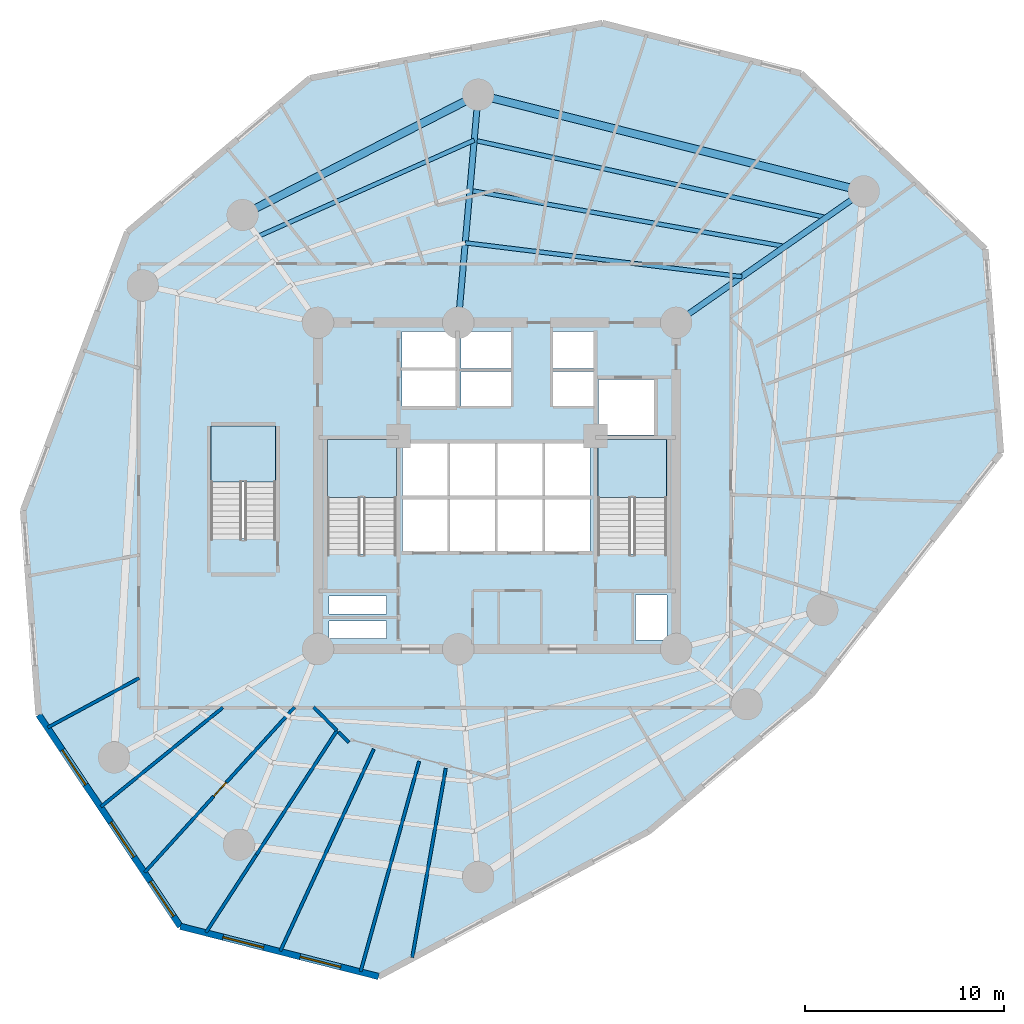
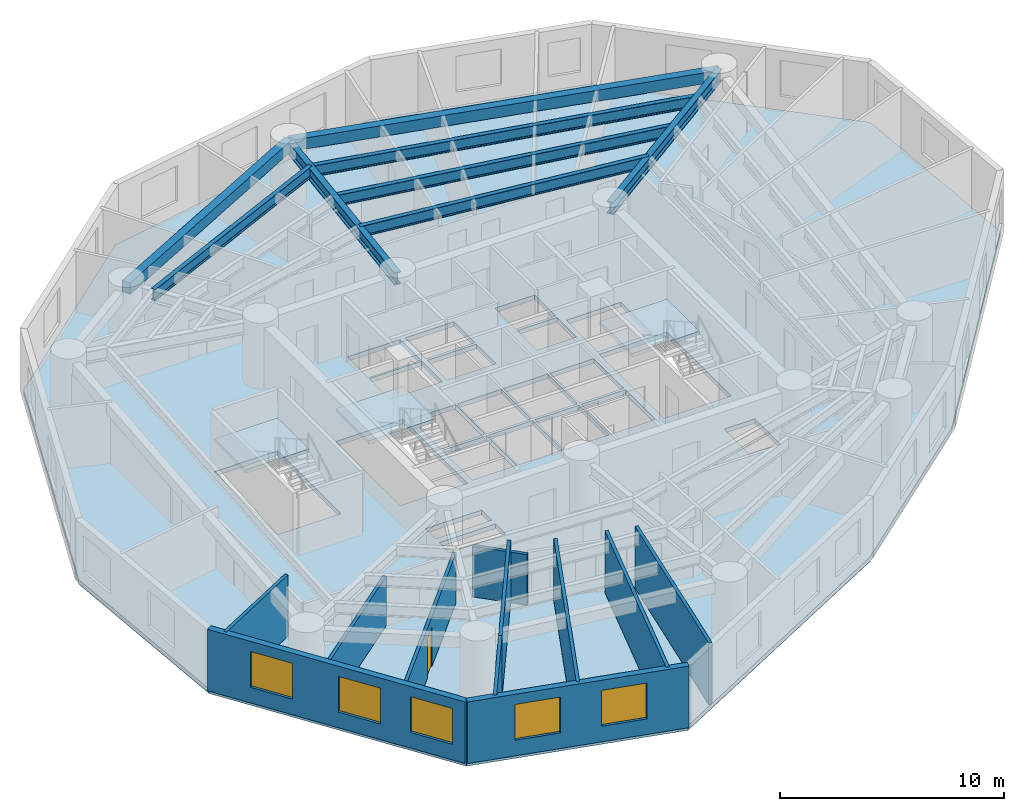
# One storey, part 2 of 8: 12 walls, 8 beams, 5 windows, 4 slabs, 1 door, 6 openings, 3 elements without a shape of their own.
"""IFC4 building model written with IfcOpenShell, lengths in metres."""

from ifc_helpers import new_model, si_unit, direction, frame, frame_2d, origin, origin_with_axes, origin_2d, place, context, subcontext, project, spatial, polyline, rectangle, i_section, outline, extrude, source, transform, mapped, material, layer, layer_set, material_profile, profile_set, type_object, element, fill, aggregate, save


model = new_model("IFC4")

# Units and contexts
model_context = context("Model", 3, precision=1e-05, world=origin(), true_north=direction((0.0, 1.0)))
body_context = subcontext(model_context, "Body", "Model", "MODEL_VIEW")
ifc_project = project(units=[si_unit("LENGTHUNIT", "METRE"), si_unit("AREAUNIT", "SQUARE_METRE"), si_unit("VOLUMEUNIT", "CUBIC_METRE"), si_unit("PLANEANGLEUNIT", "RADIAN"), si_unit("MASSUNIT", "GRAM", prefix="KILO")], contexts=[model_context])

# Site, building, storey
site_placement = place(None, origin())
site = spatial("IfcSite", under=ifc_project, at=site_placement, CompositionType="ELEMENT")
building_placement = place(site_placement, origin())
building = spatial("IfcBuilding", under=site, at=building_placement, Name="Karkom Vertical University and Central Library", CompositionType="ELEMENT")
storey_placement = place(building_placement, frame((0.0, 0.0, 58.89990234375)))
storey = spatial("IfcBuildingStorey", under=building, at=storey_placement, Name="L15", CompositionType="ELEMENT", Elevation=58.89990234375)

# Beams
ifc_material_1 = material(Name="Steel S355", Category="steel")
ifc_material_profile_1 = material_profile(ifc_material_1, i_section(OverallWidth=0.300048828125, OverallDepth=0.64990234375, WebThickness=0.01611328125, FlangeThickness=0.031005859375, FilletRadius=0.027099609375, at=origin_2d()), Name="HE 650 B")
ifc_profile_set_1 = profile_set([ifc_material_profile_1], Name="Steel S355")
beam_type_1 = type_object("IfcBeamType", Name="STR-BM-SB-HE650", PredefinedType="USERDEFINED", material=ifc_profile_set_1)
shared_shape_1 = source(origin_with_axes(), body_context, "Body", "SweptSolid", [
    extrude(i_section(OverallWidth=0.300048828125, OverallDepth=0.64990234375, WebThickness=0.01611328125, FlangeThickness=0.031005859375, FilletRadius=0.027099609375, at=origin_2d()), origin(), (0.0, 0.0, 1.0), 11.49951171875),
])
beam_1_placement = place(storey_placement, frame((37.5, 34.699951171875, 3.025146484375), z_axis=(0.81915012564, 0.573579176457, 0.0), x_axis=(-0.573579176457, 0.81915012564, 0.0)))
element("IfcBeam", 1, at=beam_1_placement, inside=storey, type_object=beam_type_1, Name="Level 15 Radial Frame Girder 02", ObjectType="GIRDER", PredefinedType="USERDEFINED", context=body_context, shape_type="MappedRepresentation", body=[
    mapped(shared_shape_1, transform((0.0, 0.0, 0.0), scale=1.0)),
])
shared_shape_2 = source(origin_with_axes(), body_context, "Body", "SweptSolid", [
    extrude(i_section(OverallWidth=0.300048828125, OverallDepth=0.64990234375, WebThickness=0.01611328125, FlangeThickness=0.031005859375, FilletRadius=0.027099609375, at=origin_2d()), origin(), (0.0, 0.0, 1.0), 11.499755859375),
])
beam_2_placement = place(storey_placement, frame((26.550048828125, 34.699951171875, 3.025146484375), z_axis=(0.087127973109, 0.99619712723, 0.0), x_axis=(-0.99619712723, 0.087127973109, 0.0)))
element("IfcBeam", 2, at=beam_2_placement, inside=storey, type_object=beam_type_1, Name="Level 15 Radial Frame Girder 03", ObjectType="GIRDER", PredefinedType="USERDEFINED", context=body_context, shape_type="MappedRepresentation", body=[
    mapped(shared_shape_2, transform((0.0, 0.0, 0.0), scale=1.0)),
])
ifc_material_2 = material(Name="Precast concrete C45/55", Category="concrete")
ifc_material_profile_2 = material_profile(ifc_material_2, rectangle(XDim=0.39990234375, YDim=0.60009765625, at=origin_2d()), Name="SPB-400x600")
ifc_profile_set_2 = profile_set([ifc_material_profile_2], Name="Precast concrete C45/55")
beam_type_2 = type_object("IfcBeamType", Name="STR-BM-SP-1", PredefinedType="SPANDREL", material=ifc_profile_set_2)
shared_shape_3 = source(origin_with_axes(), body_context, "Body", "SweptSolid", [
    extrude(rectangle(XDim=0.39990234375, YDim=0.60009765625, at=origin_2d()), origin(), (0.0, 0.0, 1.0), 19.968505859375),
])
beam_3_placement = place(storey_placement, frame((46.919921875, 41.2958984375, 3.050048828125), z_axis=(-0.969928522391, 0.243389937039, 0.0), x_axis=(-0.243389937039, -0.969928522391, 0.0)))
element("IfcBeam", 3, at=beam_3_placement, inside=storey, type_object=beam_type_2, Name="Level 15 Perimeter Spandrel Beam 02", PredefinedType="SPANDREL", context=body_context, shape_type="MappedRepresentation", body=[
    mapped(shared_shape_3, transform((0.0, 0.0, 0.0), scale=1.0)),
])
shared_shape_4 = source(origin_with_axes(), body_context, "Body", "SweptSolid", [
    extrude(rectangle(XDim=0.39990234375, YDim=0.60009765625, at=origin_2d()), origin(), (0.0, 0.0, 1.0), 13.29443359375),
])
beam_4_placement = place(storey_placement, frame((27.552001953125, 46.156005859375, 3.050048828125), z_axis=(-0.890447746793, -0.455085497716, 0.0), x_axis=(0.455085497716, -0.890447746793, 0.0)))
element("IfcBeam", 4, at=beam_4_placement, inside=storey, type_object=beam_type_2, Name="Level 15 Perimeter Spandrel Beam 03", PredefinedType="SPANDREL", context=body_context, shape_type="MappedRepresentation", body=[
    mapped(shared_shape_4, transform((0.0, 0.0, 0.0), scale=1.0)),
])
ifc_material_profile_3 = material_profile(ifc_material_1, i_section(OverallWidth=0.219970703125, OverallDepth=0.60009765625, WebThickness=0.011962890625, FlangeThickness=0.01904296875, FilletRadius=0.02392578125, at=origin_2d()), Name="IPE 600")
ifc_profile_set_3 = profile_set([ifc_material_profile_3], Name="Steel S355")
beam_type_3 = type_object("IfcBeamType", Name="STR-BM-SB-IPE600", PredefinedType="BEAM", material=ifc_profile_set_3)
shared_shape_5 = source(origin_with_axes(), body_context, "Body", "SweptSolid", [
    extrude(i_section(OverallWidth=0.219970703125, OverallDepth=0.60009765625, WebThickness=0.011962890625, FlangeThickness=0.01904296875, FilletRadius=0.02392578125, at=origin_2d()), origin(), (0.0, 0.0, 1.0), 14.000244140625),
])
beam_5_placement = place(storey_placement, frame((40.797119140625, 37.008544921875, 3.050048828125), z_axis=(-0.992590166403, 0.121510335198, 0.0), x_axis=(-0.121510335198, -0.992590166403, 0.0)))
element("IfcBeam", 5, at=beam_5_placement, inside=storey, type_object=beam_type_3, Name="Level 15 Secondary Composite Floor Beam 1.02", PredefinedType="BEAM", context=body_context, shape_type="MappedRepresentation", body=[
    mapped(shared_shape_5, transform((0.0, 0.0, 0.0), scale=1.0)),
])
shared_shape_6 = source(origin_with_axes(), body_context, "Body", "SweptSolid", [
    extrude(i_section(OverallWidth=0.219970703125, OverallDepth=0.60009765625, WebThickness=0.011962890625, FlangeThickness=0.01904296875, FilletRadius=0.02392578125, at=origin_2d()), origin(), (0.0, 0.0, 1.0), 16.08154296875),
])
beam_6_placement = place(storey_placement, frame((42.963623046875, 38.525634765625, 3.050048828125), z_axis=(-0.984517708807, 0.175285142111, 0.0), x_axis=(-0.175285142111, -0.984517708807, 0.0)))
element("IfcBeam", 6, at=beam_6_placement, inside=storey, type_object=beam_type_3, Name="Level 15 Secondary Composite Floor Beam 2.02", PredefinedType="BEAM", context=body_context, shape_type="MappedRepresentation", body=[
    mapped(shared_shape_6, transform((0.0, 0.0, 0.0), scale=1.0)),
])
shared_shape_7 = source(origin_with_axes(), body_context, "Body", "SweptSolid", [
    extrude(i_section(OverallWidth=0.219970703125, OverallDepth=0.60009765625, WebThickness=0.011962890625, FlangeThickness=0.01904296875, FilletRadius=0.02392578125, at=origin_2d()), origin(), (0.0, 0.0, 1.0), 18.106689453125),
])
beam_7_placement = place(storey_placement, frame((45.035888671875, 39.976806640625, 3.050048828125), z_axis=(-0.976674731786, 0.214724167926, 0.0), x_axis=(-0.214724167926, -0.976674731786, 0.0)))
element("IfcBeam", 7, at=beam_7_placement, inside=storey, type_object=beam_type_3, Name="Level 15 Secondary Composite Floor Beam 3.02", PredefinedType="BEAM", context=body_context, shape_type="MappedRepresentation", body=[
    mapped(shared_shape_7, transform((0.0, 0.0, 0.0), scale=1.0)),
])
shared_shape_8 = source(origin_with_axes(), body_context, "Body", "SweptSolid", [
    extrude(i_section(OverallWidth=0.219970703125, OverallDepth=0.60009765625, WebThickness=0.011962890625, FlangeThickness=0.01904296875, FilletRadius=0.02392578125, at=origin_2d()), origin(), (0.0, 0.0, 1.0), 11.908203125),
])
beam_8_placement = place(storey_placement, frame((27.3515625, 43.86474609375, 3.050048828125), z_axis=(-0.913682996781, -0.406427584441, 0.0), x_axis=(0.406427584441, -0.913682996781, 0.0)))
element("IfcBeam", 8, at=beam_8_placement, inside=storey, type_object=beam_type_3, Name="Level 15 Secondary Composite Floor Beam 3.03", PredefinedType="BEAM", context=body_context, shape_type="MappedRepresentation", body=[
    mapped(shared_shape_8, transform((0.0, 0.0, 0.0), scale=1.0)),
])

# Stair, slab
ifc_material_3 = material(Name="Concrete C45/55", Category="concrete")
stair_type_1 = type_object("IfcStairType", Name="INT-STR-ST-MAIN", PredefinedType="HALF_TURN_STAIR", material=ifc_material_3)
stair_1_placement = place(storey_placement, origin())
stair_1 = element("IfcStair", 9, at=stair_1_placement, inside=storey, type_object=stair_type_1, Name="Level 15 Tower Protected Exit Stair ST-1", PredefinedType="HALF_TURN_STAIR")
ifc_layer_1 = layer(ifc_material_3, 0.199951171875)
ifc_layer_set_1 = layer_set([ifc_layer_1], Name="Concrete C45/55")
slab_type_1 = type_object("IfcSlabType", Name="INT-SLB-LANDING", PredefinedType="LANDING", material=ifc_layer_set_1)
slab_1_placement = place(storey_placement, frame((0.0, 0.0, 1.60009765625)))
slab_1 = element("IfcSlab", 10, at=slab_1_placement, type_object=slab_type_1, Name="ST-1 landing 1", PredefinedType="LANDING", context=body_context, shape_type="SweptSolid", body=[
    extrude(outline(polyline([(23.43994140625, 25.919921875), (23.43994140625, 28.820068359375), (19.97998046875, 28.820068359375), (19.97998046875, 25.919921875), (23.43994140625, 25.919921875)])), origin(), (0.0, 0.0, 1.0), 0.199951171875),
])
aggregate(stair_1, [slab_1])

stair_2_placement = place(storey_placement, origin())
stair_2 = element("IfcStair", 11, at=stair_2_placement, inside=storey, type_object=stair_type_1, Name="Level 15 Tower Protected Exit Stair ST-2", PredefinedType="HALF_TURN_STAIR")
slab_2_placement = place(storey_placement, frame((0.0, 0.0, 1.60009765625)))
slab_2 = element("IfcSlab", 12, at=slab_2_placement, type_object=slab_type_1, Name="ST-2 landing 1", PredefinedType="LANDING", context=body_context, shape_type="SweptSolid", body=[
    extrude(outline(polyline([(37.02001953125, 25.919921875), (37.02001953125, 28.820068359375), (33.56005859375, 28.820068359375), (33.56005859375, 25.919921875), (37.02001953125, 25.919921875)])), origin(), (0.0, 0.0, 1.0), 0.199951171875),
])
aggregate(stair_2, [slab_2])

stair_type_2 = type_object("IfcStairType", Name="INT-STR-ST-SEC", PredefinedType="HALF_TURN_STAIR", material=ifc_material_3)
stair_3_placement = place(storey_placement, origin())
stair_3 = element("IfcStair", 13, at=stair_3_placement, inside=storey, type_object=stair_type_2, Name="Level 15 Academic Zone Protected Exit Stair ST-3", PredefinedType="HALF_TURN_STAIR")
slab_3_placement = place(storey_placement, frame((0.0, 0.0, 1.60009765625)))
slab_3 = element("IfcSlab", 14, at=slab_3_placement, type_object=slab_type_1, Name="ST-3 landing 1", PredefinedType="LANDING", context=body_context, shape_type="SweptSolid", body=[
    extrude(outline(polyline([(17.3798828125, 26.699951171875), (17.3798828125, 29.5), (14.1201171875, 29.5), (14.1201171875, 26.699951171875), (17.3798828125, 26.699951171875)])), origin(), (0.0, 0.0, 1.0), 0.199951171875),
])
aggregate(stair_3, [slab_3])

# Slab
ifc_layer_2 = layer(ifc_material_3, 0.25)
ifc_layer_set_2 = layer_set([ifc_layer_2], Name="Concrete C45/55")
slab_type_2 = type_object("IfcSlabType", Name="STR-SLB-FLR-250", PredefinedType="FLOOR", material=ifc_layer_set_2)
slab_4_placement = place(storey_placement, frame((0.0, 0.0, -0.25)))
element("IfcSlab", 15, at=slab_4_placement, inside=storey, type_object=slab_type_2, Name="Level 15 Tower Structural Floor Slab", PredefinedType="FLOOR", context=body_context, shape_type="SweptSolid", body=[
    extrude(outline(polyline([(19.106689453125, 46.9765625), (9.929931640625, 39.25439453125), (4.69287109375, 25.26416015625), (5.474853515625, 15.0009765625), (12.58837890625, 4.369140625), (22.54541015625, 1.85009765625), (36.110595703125, 9.140380859375), (44.3037109375, 16.034912109375), (53.804931640625, 28.154296875), (53.024658203125, 38.3955078125), (43.764892578125, 47.22119140625), (33.786376953125, 49.74560546875), (19.106689453125, 46.9765625)]), holes=[polyline([(19.97998046875, 23.0849609375), (23.43994140625, 23.0849609375), (23.43994140625, 28.820068359375), (19.97998046875, 28.820068359375), (19.97998046875, 23.0849609375)]), polyline([(33.56005859375, 23.0849609375), (37.02001953125, 23.0849609375), (37.02001953125, 28.820068359375), (33.56005859375, 28.820068359375), (33.56005859375, 23.0849609375)]), polyline([(14.1201171875, 23.864990234375), (17.3798828125, 23.864990234375), (17.3798828125, 29.5), (14.1201171875, 29.5), (14.1201171875, 23.864990234375)]), polyline([(23.75, 23.199951171875), (26.030029296875, 23.199951171875), (26.030029296875, 25.85009765625), (23.75, 25.85009765625), (23.75, 23.199951171875)]), polyline([(26.1298828125, 23.199951171875), (28.409912109375, 23.199951171875), (28.409912109375, 25.85009765625), (26.1298828125, 25.85009765625), (26.1298828125, 23.199951171875)]), polyline([(28.510009765625, 23.199951171875), (30.7900390625, 23.199951171875), (30.7900390625, 25.85009765625), (28.510009765625, 25.85009765625), (28.510009765625, 23.199951171875)]), polyline([(30.889892578125, 23.199951171875), (33.169921875, 23.199951171875), (33.169921875, 25.85009765625), (30.889892578125, 25.85009765625), (30.889892578125, 23.199951171875)]), polyline([(23.75, 26.0), (26.030029296875, 26.0), (26.030029296875, 28.64990234375), (23.75, 28.64990234375), (23.75, 26.0)]), polyline([(26.1298828125, 26.0), (28.409912109375, 26.0), (28.409912109375, 28.64990234375), (26.1298828125, 28.64990234375), (26.1298828125, 26.0)]), polyline([(28.510009765625, 26.0), (30.7900390625, 26.0), (30.7900390625, 28.64990234375), (28.510009765625, 28.64990234375), (28.510009765625, 26.0)]), polyline([(30.889892578125, 26.0), (33.169921875, 26.0), (33.169921875, 28.64990234375), (30.889892578125, 28.64990234375), (30.889892578125, 26.0)]), polyline([(26.679931640625, 30.5), (29.199951171875, 30.5), (29.199951171875, 32.25), (26.679931640625, 32.25), (26.679931640625, 30.5)]), polyline([(26.679931640625, 32.39990234375), (29.199951171875, 32.39990234375), (29.199951171875, 34.25), (26.679931640625, 34.25), (26.679931640625, 32.39990234375)]), polyline([(31.300048828125, 30.5), (33.35009765625, 30.5), (33.35009765625, 32.25), (31.300048828125, 32.25), (31.300048828125, 30.5)]), polyline([(31.300048828125, 32.39990234375), (33.35009765625, 32.39990234375), (33.35009765625, 34.25), (31.300048828125, 34.25), (31.300048828125, 32.39990234375)]), polyline([(23.719970703125, 30.47998046875), (26.429931640625, 30.47998046875), (26.429931640625, 32.320068359375), (23.719970703125, 32.320068359375), (23.719970703125, 30.47998046875)]), polyline([(23.719970703125, 32.419921875), (26.429931640625, 32.419921875), (26.429931640625, 34.260009765625), (23.719970703125, 34.260009765625), (23.719970703125, 32.419921875)]), polyline([(33.60009765625, 29.050048828125), (36.39990234375, 29.050048828125), (36.39990234375, 31.85009765625), (33.60009765625, 31.85009765625), (33.60009765625, 29.050048828125)]), polyline([(20.050048828125, 18.820068359375), (22.949951171875, 18.820068359375), (22.949951171875, 19.719970703125), (20.050048828125, 19.719970703125), (20.050048828125, 18.820068359375)]), polyline([(20.050048828125, 20.06005859375), (22.949951171875, 20.06005859375), (22.949951171875, 20.9599609375), (20.050048828125, 20.9599609375), (20.050048828125, 20.06005859375)]), polyline([(35.4599609375, 18.760009765625), (37.0400390625, 18.760009765625), (37.0400390625, 21.010009765625), (35.4599609375, 21.010009765625), (35.4599609375, 18.760009765625)])]), origin(), (0.0, 0.0, 1.0), 0.25),
])

# Wall, openings, windows
ifc_material_4 = material(Name="Brick-faced precast concrete C45/55", Category="masonry")
ifc_layer_3 = layer(ifc_material_4, 0.320068359375)
ifc_layer_set_3 = layer_set([ifc_layer_3], Name="Brick-faced precast concrete C45/55")
wall_type_1 = type_object("IfcWallType", Name="ENV-WL-BRK-320", PredefinedType="SOLIDWALL", material=ifc_layer_set_3)
wall_1_placement = place(storey_placement, frame((5.474853515625, 15.0009765625, 0.0), z_axis=(0.0, 0.0, 1.0), x_axis=(0.556086775623, -0.83112423739, 0.0)))
wall_1 = element("IfcWall", 16, at=wall_1_placement, inside=storey, type_object=wall_type_1, Name="Level 15 Brick-Faced Precast Facade Wall 04", PredefinedType="SOLIDWALL", context=body_context, shape_type="SweptSolid", body=[
    extrude(rectangle(XDim=12.7919921875, YDim=0.320068359375, at=frame_2d((6.39599609375, 0.0))), origin(), (0.0, 0.0, 1.0), 3.35009765625),
])
opening_1_placement = place(wall_1_placement, frame((2.130126953125, 0.0, 0.85009765625)))
opening_1 = element("IfcOpeningElement", 17, at=opening_1_placement, cuts=wall_1, Name="Opening WN-03", PredefinedType="OPENING", context=body_context, shape_type="SweptSolid", body=[
    extrude(rectangle(XDim=2.10009765625, YDim=1.949951171875, at=frame_2d((1.050048828125, 0.97509765625))), frame((0.0, 0.169921875, 0.0), z_axis=(0.0, -1.0, 0.0), x_axis=(1.0, 0.0, 0.0)), (0.0, 0.0, 1.0), 0.340087890625),
])
opening_2_placement = place(wall_1_placement, frame((6.500732421875, 0.0, 0.85009765625)))
opening_2 = element("IfcOpeningElement", 18, at=opening_2_placement, cuts=wall_1, Name="Opening WN-03", PredefinedType="OPENING", context=body_context, shape_type="SweptSolid", body=[
    extrude(rectangle(XDim=2.10009765625, YDim=1.949951171875, at=frame_2d((1.050048828125, 0.97509765625))), frame((0.0, 0.169921875, 0.0), z_axis=(0.0, -1.0, 0.0), x_axis=(1.0, 0.0, 0.0)), (0.0, 0.0, 1.0), 0.340087890625),
])
opening_3_placement = place(wall_1_placement, frame((10.08056640625, 0.0, 0.85009765625)))
opening_3 = element("IfcOpeningElement", 19, at=opening_3_placement, cuts=wall_1, Name="Opening WN-03", PredefinedType="OPENING", context=body_context, shape_type="SweptSolid", body=[
    extrude(rectangle(XDim=2.10009765625, YDim=1.949951171875, at=frame_2d((1.050048828125, 0.97509765625))), frame((0.0, 0.169921875, 0.0), z_axis=(0.0, -1.0, 0.0), x_axis=(1.0, 0.0, 0.0)), (0.0, 0.0, 1.0), 0.340087890625),
])
ifc_material_5 = material(Name="Aluminium thermal-break frame with solar-control IGU", Category="aluminium")
window_type = type_object("IfcWindowType", Name="ENV-WIN-WN-03", PartitioningType="SINGLE_PANEL", PredefinedType="WINDOW", material=ifc_material_5)
shared_shape_9 = source(origin_with_axes(), body_context, "Body", "SweptSolid", [
    extrude(rectangle(XDim=2.10009765625, YDim=1.949951171875, at=frame_2d((1.050048828125, 0.97509765625))), frame((0.0, 0.030029296875, 0.0), z_axis=(0.0, -1.0, 0.0), x_axis=(1.0, 0.0, 0.0)), (0.0, 0.0, 1.0), 0.06005859375),
])
window_1_placement = place(opening_1_placement, origin())
window_1 = element("IfcWindow", 20, at=window_1_placement, inside=storey, type_object=window_type, Name="Level 15 Punched Window 4.1", OverallHeight=1.949951171875, OverallWidth=2.10009765625, PartitioningType="SINGLE_PANEL", PredefinedType="WINDOW", context=body_context, shape_type="MappedRepresentation", body=[
    mapped(shared_shape_9, transform((0.0, 0.0, 0.0), scale=1.0)),
])
fill(opening_1, window_1)
window_2_placement = place(opening_2_placement, origin())
window_2 = element("IfcWindow", 21, at=window_2_placement, inside=storey, type_object=window_type, Name="Level 15 Punched Window 4.2", OverallHeight=1.949951171875, OverallWidth=2.10009765625, PartitioningType="SINGLE_PANEL", PredefinedType="WINDOW", context=body_context, shape_type="MappedRepresentation", body=[
    mapped(shared_shape_9, transform((0.0, 0.0, 0.0), scale=1.0)),
])
fill(opening_2, window_2)
window_3_placement = place(opening_3_placement, origin())
window_3 = element("IfcWindow", 22, at=window_3_placement, inside=storey, type_object=window_type, Name="Level 15 Punched Window 4.3", OverallHeight=1.949951171875, OverallWidth=2.10009765625, PartitioningType="SINGLE_PANEL", PredefinedType="WINDOW", context=body_context, shape_type="MappedRepresentation", body=[
    mapped(shared_shape_9, transform((0.0, 0.0, 0.0), scale=1.0)),
])
fill(opening_3, window_3)

wall_2_placement = place(storey_placement, frame((12.58837890625, 4.369140625, 0.0), z_axis=(0.0, 0.0, 1.0), x_axis=(0.96945630731, -0.245264078531, 0.0)))
wall_2 = element("IfcWall", 23, at=wall_2_placement, inside=storey, type_object=wall_type_1, Name="Level 15 Brick-Faced Precast Facade Wall 05", PredefinedType="SOLIDWALL", context=body_context, shape_type="SweptSolid", body=[
    extrude(rectangle(XDim=10.270751953125, YDim=0.320068359375, at=frame_2d((5.13525390625, 0.0))), origin(), (0.0, 0.0, 1.0), 3.35009765625),
])
opening_4_placement = place(wall_2_placement, frame((2.206787109375, 0.0, 0.85009765625)))
opening_4 = element("IfcOpeningElement", 24, at=opening_4_placement, cuts=wall_2, Name="Opening WN-03", PredefinedType="OPENING", context=body_context, shape_type="SweptSolid", body=[
    extrude(rectangle(XDim=2.10009765625, YDim=1.949951171875, at=frame_2d((1.050048828125, 0.97509765625))), frame((0.0, 0.169921875, 0.0), z_axis=(0.0, -1.0, 0.0), x_axis=(1.0, 0.0, 0.0)), (0.0, 0.0, 1.0), 0.340087890625),
])
opening_5_placement = place(wall_2_placement, frame((6.206298828125, 0.0, 0.85009765625)))
opening_5 = element("IfcOpeningElement", 25, at=opening_5_placement, cuts=wall_2, Name="Opening WN-03", PredefinedType="OPENING", context=body_context, shape_type="SweptSolid", body=[
    extrude(rectangle(XDim=2.10009765625, YDim=1.949951171875, at=frame_2d((1.050048828125, 0.97509765625))), frame((0.0, 0.169921875, 0.0), z_axis=(0.0, -1.0, 0.0), x_axis=(1.0, 0.0, 0.0)), (0.0, 0.0, 1.0), 0.340087890625),
])
window_4_placement = place(opening_4_placement, origin())
window_4 = element("IfcWindow", 26, at=window_4_placement, inside=storey, type_object=window_type, Name="Level 15 Punched Window 5.1", OverallHeight=1.949951171875, OverallWidth=2.10009765625, PartitioningType="SINGLE_PANEL", PredefinedType="WINDOW", context=body_context, shape_type="MappedRepresentation", body=[
    mapped(shared_shape_9, transform((0.0, 0.0, 0.0), scale=1.0)),
])
fill(opening_4, window_4)
window_5_placement = place(opening_5_placement, origin())
window_5 = element("IfcWindow", 27, at=window_5_placement, inside=storey, type_object=window_type, Name="Level 15 Punched Window 5.2", OverallHeight=1.949951171875, OverallWidth=2.10009765625, PartitioningType="SINGLE_PANEL", PredefinedType="WINDOW", context=body_context, shape_type="MappedRepresentation", body=[
    mapped(shared_shape_9, transform((0.0, 0.0, 0.0), scale=1.0)),
])
fill(opening_5, window_5)

# Wall, opening, door
ifc_material_6 = material(Name="Insulated metal-stud drywall 160mm", Category="gypsum")
ifc_layer_4 = layer(ifc_material_6, 0.159912109375)
ifc_layer_set_4 = layer_set([ifc_layer_4], Name="Insulated metal-stud drywall 160mm")
wall_type_2 = type_object("IfcWallType", Name="INT-WL-COR-160", PredefinedType="PARTITIONING", material=ifc_layer_set_4)
wall_3_placement = place(storey_placement, frame((18.3291015625, 15.38330078125, 0.0), z_axis=(0.0, 0.0, 1.0), x_axis=(-0.672082428141, -0.740476339787, 0.0)))
wall_3 = element("IfcWall", 28, at=wall_3_placement, inside=storey, type_object=wall_type_2, Name="Level 15 Interior Partition Wall L15-PW-004", PredefinedType="PARTITIONING", context=body_context, shape_type="SweptSolid", body=[
    extrude(rectangle(XDim=11.201416015625, YDim=0.159912109375, at=frame_2d((5.6005859375, 0.0))), origin(), (0.0, 0.0, 1.0), 2.7001953125),
])
opening_6_placement = place(wall_3_placement, frame((5.1005859375, 0.0, 0.0)))
opening_6 = element("IfcOpeningElement", 29, at=opening_6_placement, cuts=wall_3, Name="Opening D-RM1", PredefinedType="OPENING", context=body_context, shape_type="SweptSolid", body=[
    extrude(rectangle(XDim=0.949951171875, YDim=2.14990234375, at=frame_2d((0.47509765625, 1.074951171875))), frame((0.0, 0.08984375, 0.0), z_axis=(0.0, -1.0, 0.0), x_axis=(1.0, 0.0, 0.0)), (0.0, 0.0, 1.0), 0.179931640625),
])
ifc_material_7 = material(Name="Solid-core oak veneer door", Category="wood")
door_type = type_object("IfcDoorType", Name="INT-DR-RM1", OperationType="NOTDEFINED", PredefinedType="DOOR", material=ifc_material_7)
shared_shape_10 = source(origin_with_axes(), body_context, "Body", "SweptSolid", [
    extrude(rectangle(XDim=0.949951171875, YDim=2.14990234375, at=frame_2d((0.47509765625, 1.074951171875))), frame((0.0, 0.02490234375, 0.0), z_axis=(0.0, -1.0, 0.0), x_axis=(1.0, 0.0, 0.0)), (0.0, 0.0, 1.0), 0.050048828125),
])
door_placement = place(opening_6_placement, origin())
door = element("IfcDoor", 30, at=door_placement, inside=storey, type_object=door_type, Name="Level 15 Room Entry Door 030", OperationType="SINGLE_SWING_LEFT", OverallHeight=2.14990234375, OverallWidth=0.949951171875, PredefinedType="DOOR", context=body_context, shape_type="MappedRepresentation", body=[
    mapped(shared_shape_10, transform((0.0, 0.0, 0.0), scale=1.0)),
])
fill(opening_6, door)

# Walls
wall_4_placement = place(storey_placement, frame((22.30810546875, 13.2763671875, 0.0), z_axis=(0.0, 0.0, 1.0), x_axis=(-0.420317270693, -0.907377204892, 0.0)))
element("IfcWall", 31, at=wall_4_placement, inside=storey, type_object=wall_type_2, Name="Level 15 Interior Partition Wall L15-PW-008", PredefinedType="PARTITIONING", context=body_context, shape_type="SweptSolid", body=[
    extrude(rectangle(XDim=11.18603515625, YDim=0.159912109375, at=frame_2d((5.593017578125, 0.0))), origin(), (0.0, 0.0, 1.0), 3.35009765625),
])
wall_5_placement = place(storey_placement, frame((24.585693359375, 12.666015625, 0.0), z_axis=(0.0, 0.0, 1.0), x_axis=(-0.268232974424, -0.963354073761, 0.0)))
element("IfcWall", 32, at=wall_5_placement, inside=storey, type_object=wall_type_2, Name="Level 15 Interior Partition Wall L15-PW-012", PredefinedType="PARTITIONING", context=body_context, shape_type="SweptSolid", body=[
    extrude(rectangle(XDim=10.964111328125, YDim=0.159912109375, at=frame_2d((5.48193359375, 0.0))), origin(), (0.0, 0.0, 1.0), 3.35009765625),
])
wall_6_placement = place(storey_placement, frame((25.92236328125, 12.307861328125, 0.0), z_axis=(0.0, 0.0, 1.0), x_axis=(-0.174614895669, -0.984636805228, 0.0)))
element("IfcWall", 33, at=wall_6_placement, inside=storey, type_object=wall_type_2, Name="Level 15 Interior Partition Wall L15-PW-016", PredefinedType="PARTITIONING", context=body_context, shape_type="SweptSolid", body=[
    extrude(rectangle(XDim=9.65283203125, YDim=0.159912109375, at=frame_2d((4.826416015625, 0.0))), origin(), (0.0, 0.0, 1.0), 3.35009765625),
])
wall_7_placement = place(storey_placement, frame((14.72607421875, 15.368896484375, 0.0), z_axis=(0.0, 0.0, 1.0), x_axis=(-0.775651692545, -0.63116119324, 0.0)))
element("IfcWall", 34, at=wall_7_placement, inside=storey, type_object=wall_type_2, Name="Level 15 Interior Partition Wall L15-PW-003", PredefinedType="PARTITIONING", context=body_context, shape_type="SweptSolid", body=[
    extrude(rectangle(XDim=7.902587890625, YDim=0.159912109375, at=frame_2d((3.951171875, 0.0))), origin(), (0.0, 0.0, 1.0), 2.7001953125),
])
wall_8_placement = place(storey_placement, frame((20.4580078125, 14.211669921875, 0.0), z_axis=(0.0, 0.0, 1.0), x_axis=(-0.544154279749, -0.838985172593, 0.0)))
element("IfcWall", 35, at=wall_8_placement, inside=storey, type_object=wall_type_2, Name="Level 15 Interior Partition Wall L15-PW-005", PredefinedType="PARTITIONING", context=body_context, shape_type="SweptSolid", body=[
    extrude(rectangle(XDim=7.44091796875, YDim=0.159912109375, at=frame_2d((3.720458984375, 0.0))), origin(), (0.0, 0.0, 1.0), 3.35009765625),
])
wall_9_placement = place(storey_placement, frame((10.5263671875, 16.84765625, 0.0), z_axis=(0.0, 0.0, 1.0), x_axis=(-0.879606614066, -0.47570180207, 0.0)))
element("IfcWall", 36, at=wall_9_placement, inside=storey, type_object=wall_type_2, Name="Level 15 Interior Partition Wall L15-PW-001", PredefinedType="PARTITIONING", context=body_context, shape_type="SweptSolid", body=[
    extrude(rectangle(XDim=5.22314453125, YDim=0.159912109375, at=frame_2d((2.611572265625, 0.0))), origin(), (0.0, 0.0, 1.0), 3.35009765625),
])
wall_10_placement = place(storey_placement, frame((16.40625, 7.964599609375, 0.0), z_axis=(0.0, 0.0, 1.0), x_axis=(-0.544168116478, -0.838976198118, 0.0)))
element("IfcWall", 37, at=wall_10_placement, inside=storey, type_object=wall_type_2, Name="Level 15 Interior Partition Wall L15-PW-006", PredefinedType="PARTITIONING", context=body_context, shape_type="SweptSolid", body=[
    extrude(rectangle(XDim=4.646728515625, YDim=0.159912109375, at=frame_2d((2.3232421875, 0.0))), origin(), (0.0, 0.0, 1.0), 3.35009765625),
])
wall_11_placement = place(storey_placement, frame((19.287841796875, 15.3818359375, 0.0), z_axis=(0.0, 0.0, 1.0), x_axis=(0.707106781187, -0.707106781187, 0.0)))
element("IfcWall", 38, at=wall_11_placement, inside=storey, type_object=wall_type_2, Name="Level 15 Interior Partition Wall L15-PW-007", PredefinedType="PARTITIONING", context=body_context, shape_type="SweptSolid", body=[
    extrude(rectangle(XDim=1.65478515625, YDim=0.159912109375, at=frame_2d((0.827392578125, 0.0))), origin(), (0.0, 0.0, 1.0), 2.75),
])
wall_12_placement = place(storey_placement, frame((20.544921875, 14.124755859375, 0.0), z_axis=(0.0, 0.0, 1.0), x_axis=(0.707106781187, -0.707106781187, 0.0)))
element("IfcWall", 39, at=wall_12_placement, inside=storey, type_object=wall_type_2, Name="Level 15 Interior Partition Wall L15-PW-009", PredefinedType="PARTITIONING", context=body_context, shape_type="SweptSolid", body=[
    extrude(rectangle(XDim=0.7265625, YDim=0.159912109375, at=frame_2d((0.36328125, 0.0))), origin(), (0.0, 0.0, 1.0), 2.75),
])

save(model, "model.ifc")
